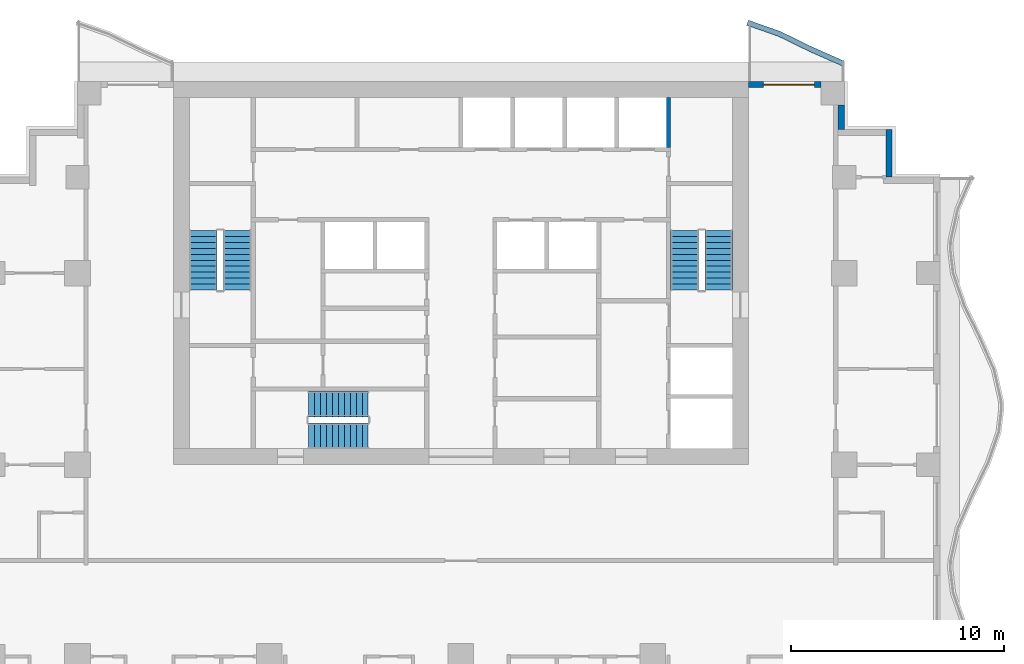
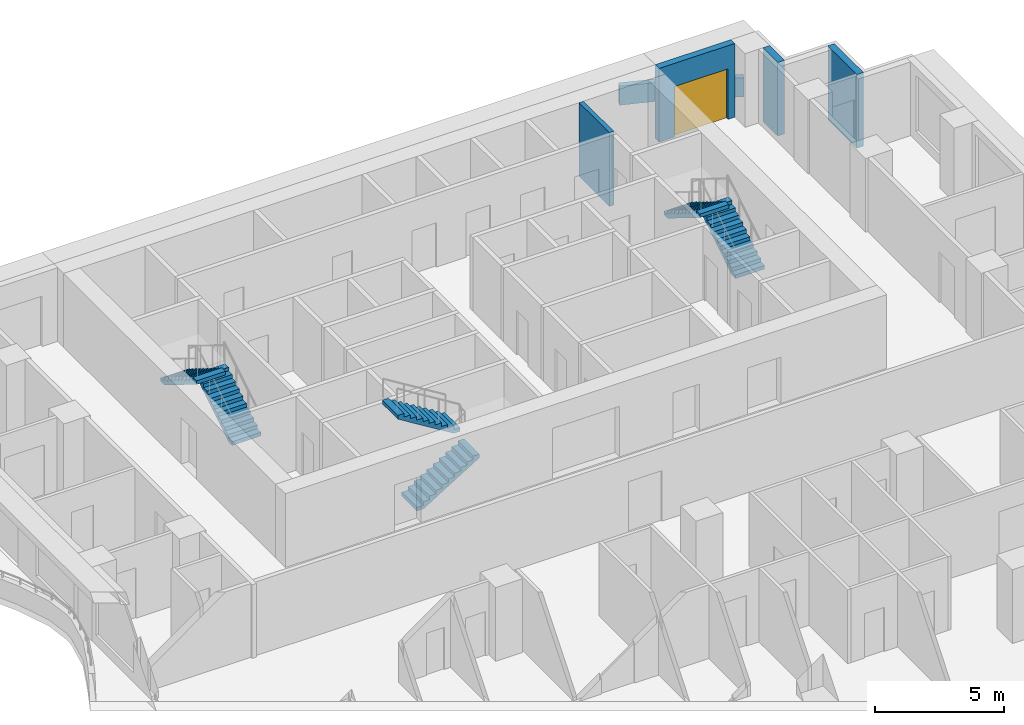
# One storey, part 6 of 10: 6 stair flights, 5 walls, 1 door, 1 opening, 3 elements without a shape of their own.
"""IFC4 building model written with IfcOpenShell, lengths in metres."""

from ifc_helpers import new_model, si_unit, direction, frame, frame_2d, origin, place, context, subcontext, project, spatial, polyline, rectangle, outline, extrude, material, layer, layer_set, type_object, element, fill, aggregate, save


model = new_model("IFC4")

# Units and contexts
model_context = context("Model", 3, precision=1e-05, world=origin(), true_north=direction((0.0, 1.0)))
body_context = subcontext(model_context, "Body", "Model", "MODEL_VIEW")
ifc_project = project(units=[si_unit("LENGTHUNIT", "METRE"), si_unit("AREAUNIT", "SQUARE_METRE"), si_unit("VOLUMEUNIT", "CUBIC_METRE"), si_unit("PLANEANGLEUNIT", "RADIAN"), si_unit("MASSUNIT", "GRAM", prefix="KILO")], contexts=[model_context])

# Site, building, storey
site_placement = place(None, origin())
site = spatial("IfcSite", under=ifc_project, at=site_placement, CompositionType="ELEMENT")
building_placement = place(site_placement, origin())
building = spatial("IfcBuilding", under=site, at=building_placement, Name="Orbiselva Terraces", CompositionType="ELEMENT")
storey_placement = place(building_placement, frame((0.0, 0.0, 170.6)))
storey = spatial("IfcBuildingStorey", under=building, at=storey_placement, Name="L43", CompositionType="ELEMENT", Elevation=170.6)

# Walls
ifc_material_1 = material(Name="Concrete C40/50", Category="concrete")
ifc_layer_1 = layer(ifc_material_1, 0.2)
ifc_layer_set_1 = layer_set([ifc_layer_1], Name="Concrete C40/50")
wall_type_1 = type_object("IfcWallType", Name="CORE-WALL-SHAFT-200", PredefinedType="PARTITIONING", material=ifc_layer_set_1)
wall_1_placement = place(storey_placement, frame((9.75, 19.4, 0.0), z_axis=(0.0, 0.0, 1.0), x_axis=(0.0, 1.0, 0.0)))
element("IfcWall", 1, at=wall_1_placement, inside=storey, type_object=wall_type_1, Name="L43 core wall 54", PredefinedType="PARTITIONING", context=body_context, shape_type="SweptSolid", body=[
    extrude(rectangle(XDim=2.35, YDim=0.2, at=frame_2d((1.175, 0.0))), origin(), (0.0, 0.0, 1.0), 3.5),
])
ifc_layer_2 = layer(ifc_material_1, 0.25)
ifc_layer_set_2 = layer_set([ifc_layer_2], Name="Concrete C40/50")
wall_type_2 = type_object("IfcWallType", Name="ENV-PLANTER-250x900", PredefinedType="USERDEFINED", material=ifc_layer_set_2)
wall_2_placement = place(storey_placement, origin())
element("IfcWall", 2, at=wall_2_placement, inside=storey, type_object=wall_type_2, Name="Balcony planter L43 NE", ObjectType="PLANTER", PredefinedType="USERDEFINED", context=body_context, shape_type="SweptSolid", body=[
    extrude(outline(polyline([(18.0, 23.451472), (16.5, 24.112279), (15.0, 24.844789), (13.5, 25.369208), (13.417494, 25.133215), (14.90356, 24.613667), (16.394714, 23.885477), (17.899212, 23.222689), (18.0, 23.451472)])), origin(), (0.0, 0.0, 1.0), 0.9),
])
ifc_material_2 = material(Name="Terracotta cladding on masonry backing", Category="masonry")
ifc_layer_3 = layer(ifc_material_2, 0.3)
ifc_layer_set_3 = layer_set([ifc_layer_3], Name="Terracotta cladding on masonry backing")
wall_type_3 = type_object("IfcWallType", Name="ENV-WALL-TERRACOTTA-300", PredefinedType="SOLIDWALL", material=ifc_layer_set_3)
wall_3_placement = place(storey_placement, frame((20.1, 20.25, 0.0), z_axis=(0.0, 0.0, 1.0), x_axis=(0.0, -1.0, 0.0)))
element("IfcWall", 3, at=wall_3_placement, inside=storey, type_object=wall_type_3, Name="Facade wall L43 STEP", PredefinedType="SOLIDWALL", context=body_context, shape_type="SweptSolid", body=[
    extrude(rectangle(XDim=2.25, YDim=0.3, at=frame_2d((1.125, 0.0))), origin(), (0.0, 0.0, 1.0), 3.5),
])
wall_4_placement = place(storey_placement, frame((17.85, 21.4, 0.0), z_axis=(0.0, 0.0, 1.0), x_axis=(0.0, -1.0, 0.0)))
element("IfcWall", 4, at=wall_4_placement, inside=storey, type_object=wall_type_3, Name="Facade wall L43 STEP", PredefinedType="SOLIDWALL", context=body_context, shape_type="SweptSolid", body=[
    extrude(rectangle(XDim=1.15, YDim=0.3, at=frame_2d((0.575, 0.0))), origin(), (0.0, 0.0, 1.0), 3.5),
])

# Wall, opening, door
wall_5_placement = place(storey_placement, frame((13.5, 22.35, 0.0), z_axis=(0.0, 0.0, 1.0), x_axis=(1.0, 0.0, 0.0)))
wall_5 = element("IfcWall", 5, at=wall_5_placement, inside=storey, type_object=wall_type_3, Name="Facade wall L43 NE", PredefinedType="SOLIDWALL", context=body_context, shape_type="SweptSolid", body=[
    extrude(rectangle(XDim=3.4, YDim=0.3, at=frame_2d((1.7, 0.0))), origin(), (0.0, 0.0, 1.0), 3.5),
])
opening_placement = place(wall_5_placement, frame((0.7, 0.0, 0.0)))
opening = element("IfcOpeningElement", 6, at=opening_placement, cuts=wall_5, Name="Opening Z3-E-E13", PredefinedType="OPENING", context=body_context, shape_type="SweptSolid", body=[
    extrude(rectangle(XDim=2.4, YDim=2.4, at=frame_2d((1.2, 1.2))), frame((0.0, 0.16, 0.0), z_axis=(0.0, -1.0, 0.0), x_axis=(1.0, 0.0, 0.0)), (0.0, 0.0, 1.0), 0.32),
])
ifc_material_3 = material(Name="Clear low-e glazing in aluminium frame", Category="aluminium")
door_type = type_object("IfcDoorType", Name="BALCONY DOOR 2400 X 2400", OperationType="DOUBLE_DOOR_SLIDING", PredefinedType="DOOR", material=ifc_material_3)
door_placement = place(opening_placement, origin())
door = element("IfcDoor", 7, at=door_placement, inside=storey, type_object=door_type, Name="Z3-E-E13", OperationType="SINGLE_SWING_LEFT", OverallHeight=2.4, OverallWidth=2.4, PredefinedType="DOOR", context=body_context, shape_type="SweptSolid", body=[
    extrude(rectangle(XDim=2.4, YDim=2.4, at=frame_2d((1.2, 1.2))), frame((0.0, 0.025, 0.0), z_axis=(0.0, -1.0, 0.0), x_axis=(1.0, 0.0, 0.0)), (0.0, 0.0, 1.0), 0.05),
])
fill(opening, door)

# Stair, stair flights
stair_type_1 = type_object("IfcStairType", Name="CORE-STAIR-1200", PredefinedType="HALF_TURN_STAIR", material=ifc_material_1)
stair_1_placement = place(storey_placement, origin())
stair_1 = element("IfcStair", 8, at=stair_1_placement, inside=storey, type_object=stair_type_1, Name="L43 Exit Stair S3", PredefinedType="HALF_TURN_STAIR")
stair_flight_type_1 = type_object("IfcStairFlightType", Name="CORE-STAIR-FLIGHT-1200", PredefinedType="STRAIGHT", material=ifc_material_1)
stair_flight_1_placement = place(storey_placement, frame((-7.15, 5.85, 0.0), z_axis=(0.0, 0.0, 1.0), x_axis=(1.0, 0.0, 0.0)))
stair_flight_1 = element("IfcStairFlight", 9, at=stair_flight_1_placement, type_object=stair_flight_type_1, Name="S3 flight 1", NumberOfRisers=11, NumberOfTreads=10, PredefinedType="STRAIGHT", RiserHeight=0.172727273, TreadLength=0.28, context=body_context, shape_type="SweptSolid", body=[
    extrude(outline(polyline([(0.0, 0.0), (0.0, 0.172727), (0.28, 0.172727), (0.28, 0.345455), (0.56, 0.345455), (0.56, 0.518182), (0.84, 0.518182), (0.84, 0.690909), (1.12, 0.690909), (1.12, 0.863636), (1.4, 0.863636), (1.4, 1.036364), (1.68, 1.036364), (1.68, 1.209091), (1.96, 1.209091), (1.96, 1.381818), (2.24, 1.381818), (2.24, 1.554545), (2.52, 1.554545), (2.52, 1.727273), (2.8, 1.727273), (2.8, 1.9), (2.8, 1.551028), (0.285702, 0.0), (0.0, 0.0)])), frame((0.0, 0.6, 0.0), z_axis=(0.0, -1.0, 0.0), x_axis=(1.0, 0.0, 0.0)), (0.0, 0.0, 1.0), 1.2),
])
stair_flight_2_placement = place(storey_placement, frame((-4.35, 7.35, 1.9), z_axis=(0.0, 0.0, 1.0), x_axis=(-1.0, 0.0, 0.0)))
stair_flight_2 = element("IfcStairFlight", 10, at=stair_flight_2_placement, type_object=stair_flight_type_1, Name="S3 flight 2", NumberOfRisers=11, NumberOfTreads=10, PredefinedType="STRAIGHT", RiserHeight=0.172727273, TreadLength=0.28, context=body_context, shape_type="SweptSolid", body=[
    extrude(outline(polyline([(0.0, 0.0), (0.0, 0.172727), (0.28, 0.172727), (0.28, 0.345455), (0.56, 0.345455), (0.56, 0.518182), (0.84, 0.518182), (0.84, 0.690909), (1.12, 0.690909), (1.12, 0.863636), (1.4, 0.863636), (1.4, 1.036364), (1.68, 1.036364), (1.68, 1.209091), (1.96, 1.209091), (1.96, 1.381818), (2.24, 1.381818), (2.24, 1.554545), (2.52, 1.554545), (2.52, 1.727273), (2.8, 1.727273), (2.8, 1.9), (2.8, 1.551028), (0.285702, 0.0), (0.0, 0.0)])), frame((0.0, 0.6, 0.0), z_axis=(0.0, -1.0, 0.0), x_axis=(1.0, 0.0, 0.0)), (0.0, 0.0, 1.0), 1.2),
])
aggregate(stair_1, [stair_flight_1, stair_flight_2])

stair_type_2 = type_object("IfcStairType", Name="CORE-STAIR-1300", PredefinedType="HALF_TURN_STAIR", material=ifc_material_1)
stair_2_placement = place(storey_placement, origin())
stair_2 = element("IfcStair", 11, at=stair_2_placement, inside=storey, type_object=stair_type_2, Name="L43 Exit Stair S1", PredefinedType="HALF_TURN_STAIR")
stair_flight_type_2 = type_object("IfcStairFlightType", Name="CORE-STAIR-FLIGHT-1300", PredefinedType="STRAIGHT", material=ifc_material_1)
stair_flight_3_placement = place(storey_placement, frame((-10.5, 12.7, 0.0), z_axis=(0.0, 0.0, 1.0), x_axis=(0.0, 1.0, 0.0)))
stair_flight_3 = element("IfcStairFlight", 12, at=stair_flight_3_placement, type_object=stair_flight_type_2, Name="S1 flight 1", NumberOfRisers=11, NumberOfTreads=10, PredefinedType="STRAIGHT", RiserHeight=0.172727273, TreadLength=0.28, context=body_context, shape_type="SweptSolid", body=[
    extrude(outline(polyline([(0.0, 0.0), (0.0, 0.172727), (0.28, 0.172727), (0.28, 0.345455), (0.56, 0.345455), (0.56, 0.518182), (0.84, 0.518182), (0.84, 0.690909), (1.12, 0.690909), (1.12, 0.863636), (1.4, 0.863636), (1.4, 1.036364), (1.68, 1.036364), (1.68, 1.209091), (1.96, 1.209091), (1.96, 1.381818), (2.24, 1.381818), (2.24, 1.554545), (2.52, 1.554545), (2.52, 1.727273), (2.8, 1.727273), (2.8, 1.9), (2.8, 1.551028), (0.285702, 0.0), (0.0, 0.0)])), frame((0.0, 0.65, 0.0), z_axis=(0.0, -1.0, 0.0), x_axis=(1.0, 0.0, 0.0)), (0.0, 0.0, 1.0), 1.3),
])
stair_flight_4_placement = place(storey_placement, frame((-12.1, 15.5, 1.9), z_axis=(0.0, 0.0, 1.0), x_axis=(0.0, -1.0, 0.0)))
stair_flight_4 = element("IfcStairFlight", 13, at=stair_flight_4_placement, type_object=stair_flight_type_2, Name="S1 flight 2", NumberOfRisers=11, NumberOfTreads=10, PredefinedType="STRAIGHT", RiserHeight=0.172727273, TreadLength=0.28, context=body_context, shape_type="SweptSolid", body=[
    extrude(outline(polyline([(0.0, 0.0), (0.0, 0.172727), (0.28, 0.172727), (0.28, 0.345455), (0.56, 0.345455), (0.56, 0.518182), (0.84, 0.518182), (0.84, 0.690909), (1.12, 0.690909), (1.12, 0.863636), (1.4, 0.863636), (1.4, 1.036364), (1.68, 1.036364), (1.68, 1.209091), (1.96, 1.209091), (1.96, 1.381818), (2.24, 1.381818), (2.24, 1.554545), (2.52, 1.554545), (2.52, 1.727273), (2.8, 1.727273), (2.8, 1.9), (2.8, 1.551028), (0.285702, 0.0), (0.0, 0.0)])), frame((0.0, 0.65, 0.0), z_axis=(0.0, -1.0, 0.0), x_axis=(1.0, 0.0, 0.0)), (0.0, 0.0, 1.0), 1.3),
])
aggregate(stair_2, [stair_flight_3, stair_flight_4])

stair_3_placement = place(storey_placement, origin())
stair_3 = element("IfcStair", 14, at=stair_3_placement, inside=storey, type_object=stair_type_2, Name="L43 Exit Stair S2", PredefinedType="HALF_TURN_STAIR")
stair_flight_5_placement = place(storey_placement, frame((12.1, 12.7, 0.0), z_axis=(0.0, 0.0, 1.0), x_axis=(0.0, 1.0, 0.0)))
stair_flight_5 = element("IfcStairFlight", 15, at=stair_flight_5_placement, type_object=stair_flight_type_2, Name="S2 flight 1", NumberOfRisers=11, NumberOfTreads=10, PredefinedType="STRAIGHT", RiserHeight=0.172727273, TreadLength=0.28, context=body_context, shape_type="SweptSolid", body=[
    extrude(outline(polyline([(0.0, 0.0), (0.0, 0.172727), (0.28, 0.172727), (0.28, 0.345455), (0.56, 0.345455), (0.56, 0.518182), (0.84, 0.518182), (0.84, 0.690909), (1.12, 0.690909), (1.12, 0.863636), (1.4, 0.863636), (1.4, 1.036364), (1.68, 1.036364), (1.68, 1.209091), (1.96, 1.209091), (1.96, 1.381818), (2.24, 1.381818), (2.24, 1.554545), (2.52, 1.554545), (2.52, 1.727273), (2.8, 1.727273), (2.8, 1.9), (2.8, 1.551028), (0.285702, 0.0), (0.0, 0.0)])), frame((0.0, 0.65, 0.0), z_axis=(0.0, -1.0, 0.0), x_axis=(1.0, 0.0, 0.0)), (0.0, 0.0, 1.0), 1.3),
])
stair_flight_6_placement = place(storey_placement, frame((10.5, 15.5, 1.9), z_axis=(0.0, 0.0, 1.0), x_axis=(0.0, -1.0, 0.0)))
stair_flight_6 = element("IfcStairFlight", 16, at=stair_flight_6_placement, type_object=stair_flight_type_2, Name="S2 flight 2", NumberOfRisers=11, NumberOfTreads=10, PredefinedType="STRAIGHT", RiserHeight=0.172727273, TreadLength=0.28, context=body_context, shape_type="SweptSolid", body=[
    extrude(outline(polyline([(0.0, 0.0), (0.0, 0.172727), (0.28, 0.172727), (0.28, 0.345455), (0.56, 0.345455), (0.56, 0.518182), (0.84, 0.518182), (0.84, 0.690909), (1.12, 0.690909), (1.12, 0.863636), (1.4, 0.863636), (1.4, 1.036364), (1.68, 1.036364), (1.68, 1.209091), (1.96, 1.209091), (1.96, 1.381818), (2.24, 1.381818), (2.24, 1.554545), (2.52, 1.554545), (2.52, 1.727273), (2.8, 1.727273), (2.8, 1.9), (2.8, 1.551028), (0.285702, 0.0), (0.0, 0.0)])), frame((0.0, 0.65, 0.0), z_axis=(0.0, -1.0, 0.0), x_axis=(1.0, 0.0, 0.0)), (0.0, 0.0, 1.0), 1.3),
])
aggregate(stair_3, [stair_flight_5, stair_flight_6])

save(model, "model.ifc")
